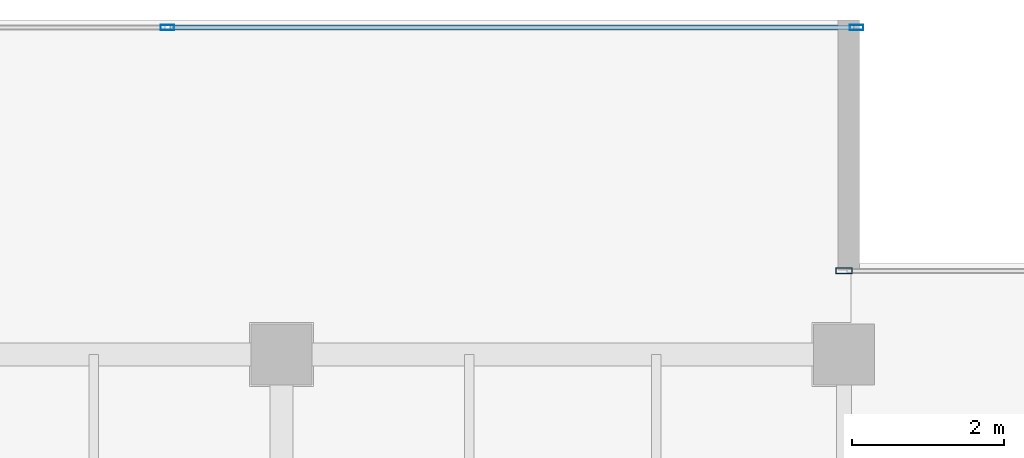
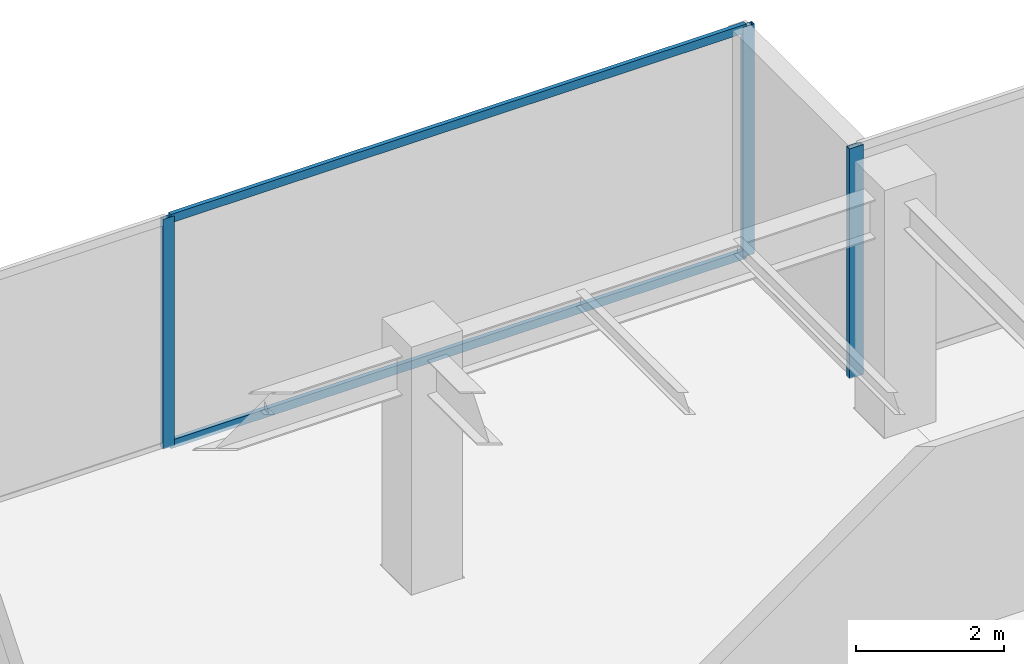
# One storey, part 21 of 36: 5 members, 2 elements without a shape of their own.
"""IFC4 building model written with IfcOpenShell, lengths in metres."""

from ifc_helpers import new_model, si_unit, direction, frame, origin, origin_2d, place, context, subcontext, project, spatial, hollow_rectangle, extrude, source, transform, mapped, material, layer, layer_set, material_profile, profile_set, type_object, type_shapes, element, aggregate, save


model = new_model("IFC4")

# Units and contexts
model_context = context("Model", 3, precision=1e-05, world=origin(), true_north=direction((0.0, 1.0)))
body_context = subcontext(model_context, "Body", "Model", "MODEL_VIEW")
ifc_project = project(units=[si_unit("LENGTHUNIT", "METRE"), si_unit("AREAUNIT", "SQUARE_METRE"), si_unit("VOLUMEUNIT", "CUBIC_METRE"), si_unit("PLANEANGLEUNIT", "RADIAN"), si_unit("MASSUNIT", "GRAM", prefix="KILO")], contexts=[model_context])

# Site, building, storey
site_placement = place(None, origin())
site = spatial("IfcSite", under=ifc_project, at=site_placement, CompositionType="ELEMENT")
building_placement = place(site_placement, origin())
building = spatial("IfcBuilding", under=site, at=building_placement, Name="Haelvirn Gate Laboratories", CompositionType="ELEMENT")
storey_placement = place(building_placement, frame((0.0, 0.0, 254.699951171875)))
storey = spatial("IfcBuildingStorey", under=building, at=storey_placement, Name="L61", CompositionType="ELEMENT", Elevation=254.699951171875)

# Curtain wall, members
ifc_material_1 = material(Name="Anodised bronze unitised aluminium & triple low-E glass", Category="aluminium")
ifc_layer_1 = layer(ifc_material_1, 0.176025390625, Name="CW-SYS-4")
ifc_layer_set_1 = layer_set([ifc_layer_1], Name="Anodised bronze unitised aluminium & triple low-E glass")
curtain_wall_type_1 = type_object("IfcCurtainWallType", Name="CW-SYS-4", PredefinedType="NOTDEFINED", material=ifc_layer_set_1)
curtain_wall_1_placement = place(storey_placement, origin())
curtain_wall_1 = element("IfcCurtainWall", 1, at=curtain_wall_1_placement, inside=storey, type_object=curtain_wall_type_1, Name="L61 Unitised Curtain Wall CW-L61-P0-E10-1", PredefinedType="NOTDEFINED")
ifc_material_2 = material(Name="Extruded aluminium 6063-T6 (anodised bronze)", Category="aluminium")
ifc_material_profile_1 = material_profile(ifc_material_2, hollow_rectangle(XDim=0.06494140625, YDim=0.139892578125, WallThickness=0.00390625, at=origin_2d()), Name="CWT-140x65x4")
ifc_profile_set_1 = profile_set([ifc_material_profile_1], Name="Extruded aluminium 6063-T6 (anodised bronze)")
member_type_1 = type_object("IfcMemberType", Name="CWT-T140", PredefinedType="USERDEFINED", material=ifc_profile_set_1)
shared_shape_1 = source(origin(), body_context, "Body", "SweptSolid", [
    extrude(hollow_rectangle(XDim=0.06494140625, YDim=0.139892578125, WallThickness=0.00390625, at=origin_2d()), origin(), (0.0, 0.0, 1.0), 8.9951171875),
])
type_shapes(member_type_1, [shared_shape_1])
member_1_placement = place(storey_placement, frame((58.534912109375, 45.89990234375, 0.032470703125), z_axis=(1.0, 0.0, 0.0), x_axis=(0.0, 1.0, 0.0)))
member_1 = element("IfcMember", 2, at=member_1_placement, type_object=member_type_1, Name="CW4 transom 2.1", ObjectType="TRANSOM", PredefinedType="USERDEFINED", context=body_context, shape_type="MappedRepresentation", body=[
    mapped(shared_shape_1, transform((0.0, 0.0, 0.0), scale=1.0)),
])
member_2_placement = place(storey_placement, frame((58.534912109375, 45.89990234375, 3.767578125), z_axis=(1.0, 0.0, 0.0), x_axis=(0.0, 1.0, 0.0)))
member_2 = element("IfcMember", 3, at=member_2_placement, type_object=member_type_1, Name="CW4 transom 2.2", ObjectType="TRANSOM", PredefinedType="USERDEFINED", context=body_context, shape_type="MappedRepresentation", body=[
    mapped(shared_shape_1, transform((0.0, 0.0, 0.0), scale=1.0)),
])
ifc_material_profile_2 = material_profile(ifc_material_2, hollow_rectangle(XDim=0.070068359375, YDim=0.179931640625, WallThickness=0.0048828125, at=origin_2d()), Name="CWM-180x70x5")
ifc_profile_set_2 = profile_set([ifc_material_profile_2], Name="Extruded aluminium 6063-T6 (anodised bronze)")
member_type_2 = type_object("IfcMemberType", Name="CWM-T180", PredefinedType="MULLION", material=ifc_profile_set_2)
shared_shape_2 = source(origin(), body_context, "Body", "SweptSolid", [
    extrude(hollow_rectangle(XDim=0.070068359375, YDim=0.179931640625, WallThickness=0.0048828125, at=origin_2d()), origin(), (0.0, 0.0, 1.0), 3.800048828125),
])
type_shapes(member_type_2, [shared_shape_2])
member_3_placement = place(storey_placement, frame((58.5, 45.89990234375, 0.0), z_axis=(0.0, 0.0, 1.0), x_axis=(0.0, 1.0, 0.0)))
member_3 = element("IfcMember", 4, at=member_3_placement, type_object=member_type_2, Name="CW4 mullion 2", PredefinedType="MULLION", context=body_context, shape_type="MappedRepresentation", body=[
    mapped(shared_shape_2, transform((0.0, 0.0, 0.0), scale=1.0)),
])
member_4_placement = place(storey_placement, frame((67.56494140625, 45.89990234375, 0.0), z_axis=(0.0, 0.0, 1.0), x_axis=(0.0, 1.0, 0.0)))
member_4 = element("IfcMember", 5, at=member_4_placement, type_object=member_type_2, Name="CW4 mullion 3", PredefinedType="MULLION", context=body_context, shape_type="MappedRepresentation", body=[
    mapped(shared_shape_2, transform((0.0, 0.0, 0.0), scale=1.0)),
])
aggregate(curtain_wall_1, [member_3, member_4, member_1, member_2])

# Curtain wall, member
ifc_layer_2 = layer(ifc_material_1, 0.181884765625, Name="CW-SYS-5")
ifc_layer_set_2 = layer_set([ifc_layer_2], Name="Anodised bronze unitised aluminium & triple low-E glass")
curtain_wall_type_2 = type_object("IfcCurtainWallType", Name="CW-SYS-5", PredefinedType="NOTDEFINED", material=ifc_layer_set_2)
curtain_wall_2_placement = place(storey_placement, origin())
curtain_wall_2 = element("IfcCurtainWall", 6, at=curtain_wall_2_placement, inside=storey, type_object=curtain_wall_type_2, Name="L61 Unitised Curtain Wall CW-L61-P0-E08-1", PredefinedType="NOTDEFINED")
ifc_material_profile_3 = material_profile(ifc_material_2, hollow_rectangle(XDim=0.080078125, YDim=0.219970703125, WallThickness=0.006103515625, at=origin_2d()), Name="CWM-220x80x6")
ifc_profile_set_3 = profile_set([ifc_material_profile_3], Name="Extruded aluminium 6063-T6 (anodised bronze)")
member_type_3 = type_object("IfcMemberType", Name="CWM-T220", PredefinedType="MULLION", material=ifc_profile_set_3)
shared_shape_3 = source(origin(), body_context, "Body", "SweptSolid", [
    extrude(hollow_rectangle(XDim=0.080078125, YDim=0.219970703125, WallThickness=0.006103515625, at=origin_2d()), origin(), (0.0, 0.0, 1.0), 3.800048828125),
])
type_shapes(member_type_3, [shared_shape_3])
member_5_placement = place(storey_placement, frame((67.39990234375, 42.699951171875, 0.0), z_axis=(0.0, 0.0, 1.0), x_axis=(0.0, 1.0, 0.0)))
member_5 = element("IfcMember", 7, at=member_5_placement, type_object=member_type_3, Name="CW5 mullion 1", PredefinedType="MULLION", context=body_context, shape_type="MappedRepresentation", body=[
    mapped(shared_shape_3, transform((0.0, 0.0, 0.0), scale=1.0)),
])
aggregate(curtain_wall_2, [member_5])

save(model, "model.ifc")
